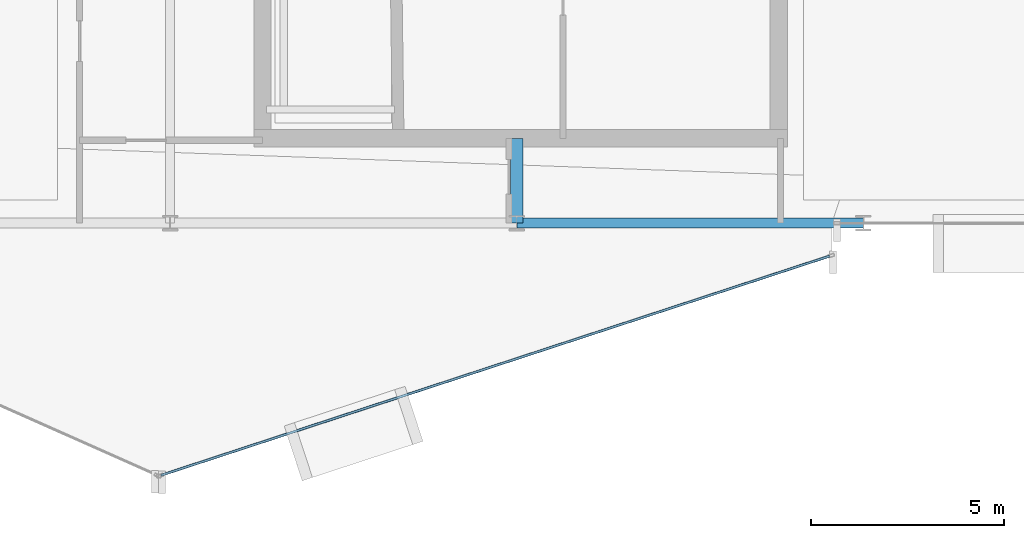
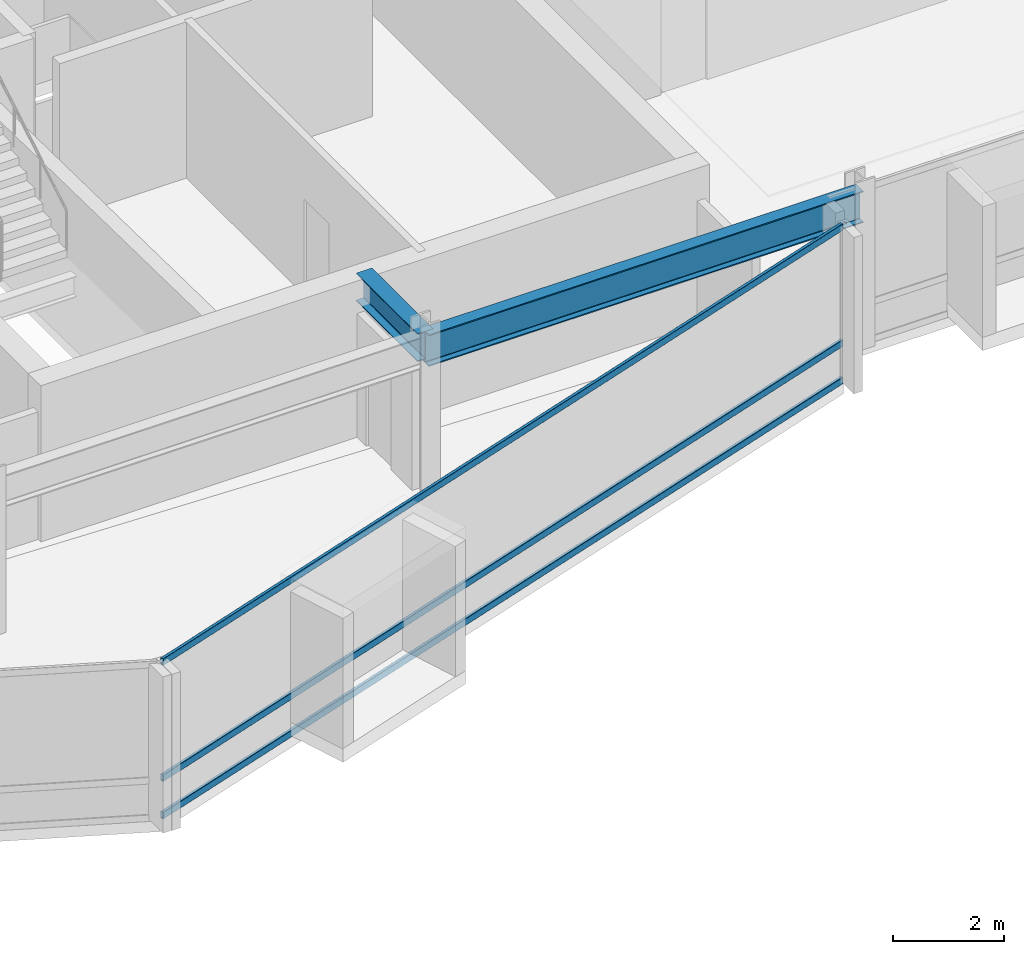
# One storey, part 9 of 27: 3 members, 2 beams, 1 element without a shape of its own.
"""IFC4 building model written with IfcOpenShell, lengths in metres."""

from ifc_helpers import new_model, si_unit, direction, frame, origin, origin_2d, place, context, subcontext, project, spatial, hollow_rectangle, i_section, extrude, material, layer, layer_set, material_profile, profile_set, type_object, element, aggregate, save


model = new_model("IFC4")

# Units and contexts
model_context = context("Model", 3, precision=1e-05, world=origin(), true_north=direction((0.0, 1.0)))
body_context = subcontext(model_context, "Body", "Model", "MODEL_VIEW")
ifc_project = project(units=[si_unit("LENGTHUNIT", "METRE"), si_unit("AREAUNIT", "SQUARE_METRE"), si_unit("VOLUMEUNIT", "CUBIC_METRE"), si_unit("PLANEANGLEUNIT", "RADIAN"), si_unit("MASSUNIT", "GRAM", prefix="KILO")], contexts=[model_context])

# Site, building, storey
site_placement = place(None, origin())
site = spatial("IfcSite", under=ifc_project, at=site_placement, CompositionType="ELEMENT")
building_placement = place(site_placement, origin())
building = spatial("IfcBuilding", under=site, at=building_placement, Name="Solvaryn Broadcast Tower", CompositionType="ELEMENT")
storey_placement = place(building_placement, frame((0.0, 0.0, 224.699951171875)))
storey = spatial("IfcBuildingStorey", under=building, at=storey_placement, Name="L56", CompositionType="ELEMENT", Elevation=224.699951171875)

# Beams
ifc_material_1 = material(Name="Steel ASTM A992 Grade 50", Category="steel")
ifc_material_profile_1 = material_profile(ifc_material_1, i_section(OverallWidth=0.323974609375, OverallDepth=0.611083984375, WebThickness=0.0126953125, FlangeThickness=0.01904296875, FilletRadius=0.014892578125, at=origin_2d()))
ifc_profile_set_1 = profile_set([ifc_material_profile_1], Name="Steel ASTM A992 Grade 50")
beam_type_1 = type_object("IfcBeamType", Name="BM-B1-W24X104", PredefinedType="BEAM", material=ifc_profile_set_1)
beam_1_placement = place(storey_placement, frame((36.0, 9.0, 3.114501953125), z_axis=(0.0, 1.0, 0.0), x_axis=(-1.0, 0.0, 0.0)))
element("IfcBeam", 1, at=beam_1_placement, inside=storey, type_object=beam_type_1, Name="L56 Core Tie Beam CTE1", PredefinedType="BEAM", context=body_context, shape_type="SweptSolid", body=[
    extrude(i_section(OverallWidth=0.323974609375, OverallDepth=0.611083984375, WebThickness=0.0126953125, FlangeThickness=0.01904296875, FilletRadius=0.014892578125, at=origin_2d()), origin(), (0.0, 0.0, 1.0), 2.199951171875),
])
ifc_material_2 = material(Name="Steel ASTM A992 Grade 50", Category="steel")
ifc_material_profile_2 = material_profile(ifc_material_2, i_section(OverallWidth=0.256103515625, OverallDepth=0.693115234375, WebThickness=0.014404296875, FlangeThickness=0.023681640625, FilletRadius=0.01611328125, at=origin_2d()))
ifc_profile_set_2 = profile_set([ifc_material_profile_2], Name="Steel ASTM A992 Grade 50")
beam_type_2 = type_object("IfcBeamType", Name="BM-SP3-W27X114", PredefinedType="USERDEFINED", material=ifc_profile_set_2)
beam_2_placement = place(storey_placement, frame((36.0, 9.0, 3.073486328125), z_axis=(1.0, 0.0, 0.0), x_axis=(0.0, 1.0, 0.0)))
element("IfcBeam", 2, at=beam_2_placement, inside=storey, type_object=beam_type_2, Name="L56 Spandrel Beam X (36-45 @ Y=9)", ObjectType="SPANDREL", PredefinedType="USERDEFINED", context=body_context, shape_type="SweptSolid", body=[
    extrude(i_section(OverallWidth=0.256103515625, OverallDepth=0.693115234375, WebThickness=0.014404296875, FlangeThickness=0.023681640625, FilletRadius=0.01611328125, at=origin_2d()), origin(), (0.0, 0.0, 1.0), 9.0),
])

# Curtain wall, members
ifc_material_3 = material(Name="Aluminium and Terracotta Unitised Curtain Wall", Category="masonry")
ifc_layer = layer(ifc_material_3, 0.199951171875)
ifc_layer_set = layer_set([ifc_layer], Name="CW-SYS2-LOWMID")
curtain_wall_type = type_object("IfcCurtainWallType", Name="CW-SYS2-LOWMID", PredefinedType="NOTDEFINED", material=ifc_layer_set)
curtain_wall_placement = place(storey_placement, origin())
curtain_wall = element("IfcCurtainWall", 3, at=curtain_wall_placement, inside=storey, type_object=curtain_wall_type, Name="L56 Curtain Wall DR4", PredefinedType="NOTDEFINED")
ifc_material_4 = material(Name="Anodised Aluminium 6063-T6", Category="aluminium")
ifc_material_profile_3 = material_profile(ifc_material_4, hollow_rectangle(XDim=0.06494140625, YDim=0.14990234375, WallThickness=0.00390625, InnerFilletRadius=0.00390625, OuterFilletRadius=0.008056640625, at=origin_2d()))
ifc_profile_set_3 = profile_set([ifc_material_profile_3], Name="Anodised Aluminium 6063-T6")
member_type = type_object("IfcMemberType", Name="CW-TRN-150", PredefinedType="USERDEFINED", material=ifc_profile_set_3)
member_1_placement = place(storey_placement, frame((26.762939453125, 2.45166015625, 0.030029296875), z_axis=(0.950227141586, 0.311557987209, 0.0), x_axis=(-0.311557987209, 0.950227141586, 0.0)))
member_1 = element("IfcMember", 4, at=member_1_placement, type_object=member_type, Name="CWS2 transom 1.1", ObjectType="TRANSOM", PredefinedType="USERDEFINED", context=body_context, shape_type="SweptSolid", body=[
    extrude(hollow_rectangle(XDim=0.06494140625, YDim=0.14990234375, WallThickness=0.00390625, InnerFilletRadius=0.00390625, OuterFilletRadius=0.008056640625, at=origin_2d()), origin(), (0.0, 0.0, 1.0), 18.271484375),
])
member_2_placement = place(storey_placement, frame((26.762939453125, 2.45166015625, 0.85009765625), z_axis=(0.950227141586, 0.311557987209, 0.0), x_axis=(-0.311557987209, 0.950227141586, 0.0)))
member_2 = element("IfcMember", 5, at=member_2_placement, type_object=member_type, Name="CWS2 transom 1.2", ObjectType="TRANSOM", PredefinedType="USERDEFINED", context=body_context, shape_type="SweptSolid", body=[
    extrude(hollow_rectangle(XDim=0.06494140625, YDim=0.14990234375, WallThickness=0.00390625, InnerFilletRadius=0.00390625, OuterFilletRadius=0.008056640625, at=origin_2d()), origin(), (0.0, 0.0, 1.0), 18.271484375),
])
member_3_placement = place(storey_placement, frame((26.762939453125, 2.45166015625, 3.39013671875), z_axis=(0.950227141586, 0.311557987209, 0.0), x_axis=(-0.311557987209, 0.950227141586, 0.0)))
member_3 = element("IfcMember", 6, at=member_3_placement, type_object=member_type, Name="CWS2 transom 1.3", ObjectType="TRANSOM", PredefinedType="USERDEFINED", context=body_context, shape_type="SweptSolid", body=[
    extrude(hollow_rectangle(XDim=0.06494140625, YDim=0.14990234375, WallThickness=0.00390625, InnerFilletRadius=0.00390625, OuterFilletRadius=0.008056640625, at=origin_2d()), origin(), (0.0, 0.0, 1.0), 18.271484375),
])
aggregate(curtain_wall, [member_1, member_2, member_3])

save(model, "model.ifc")
